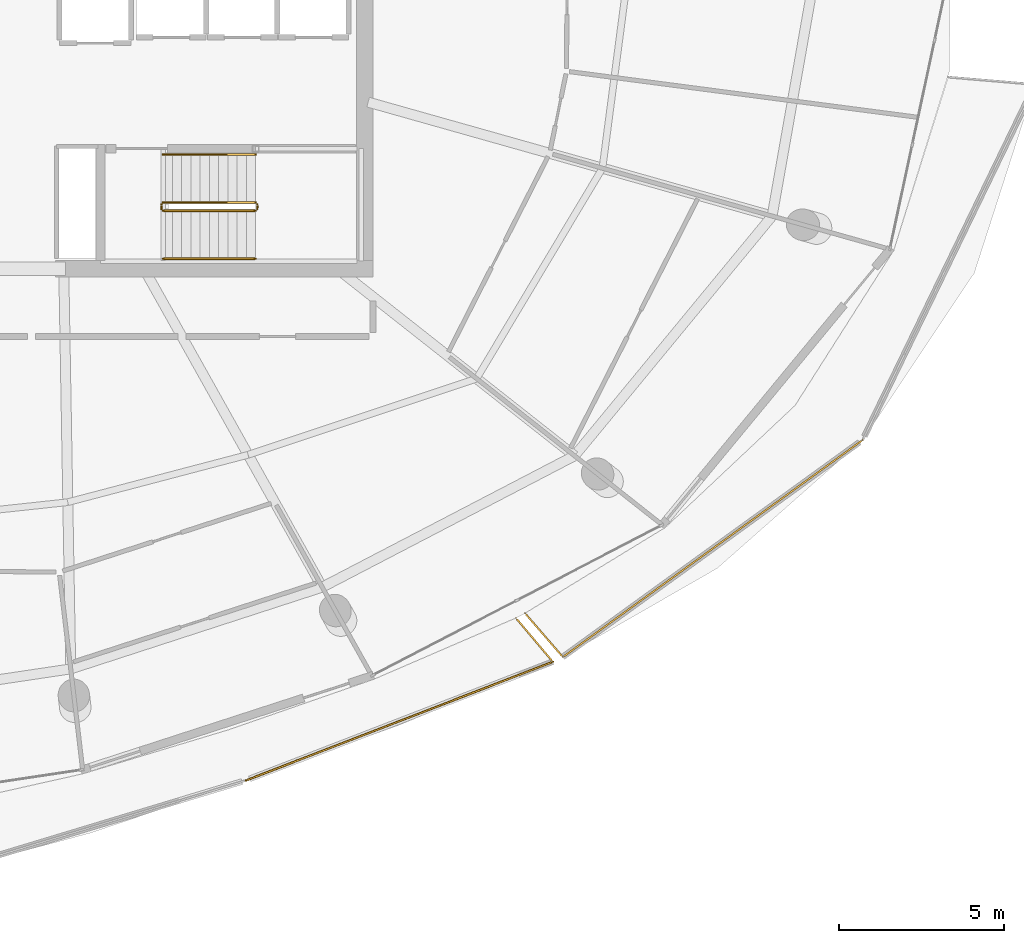
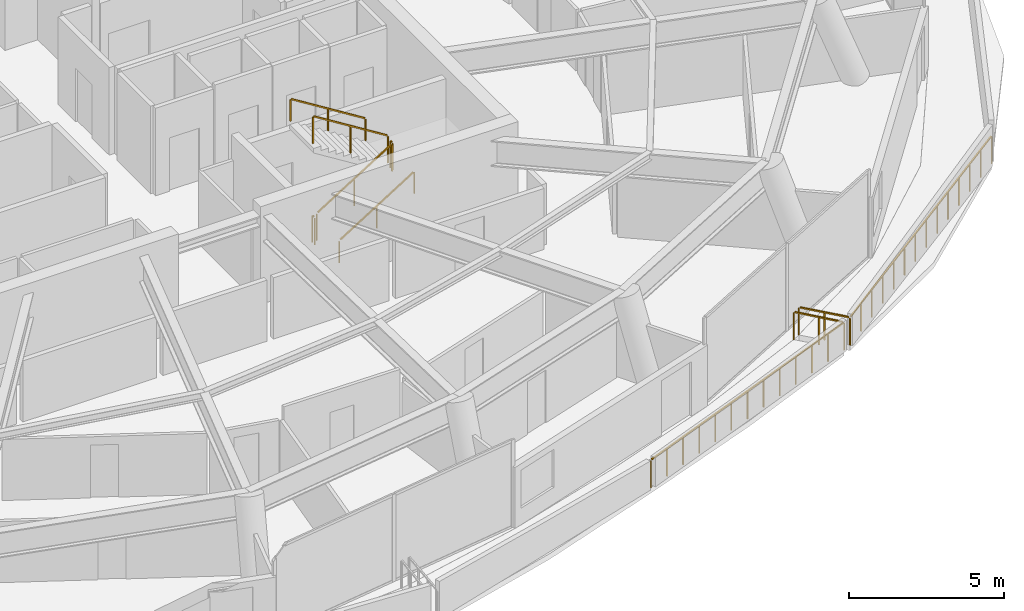
# One storey, part 24 of 27: 10 railings.
"""IFC4 building model written with IfcOpenShell, lengths in metres."""

import ifcopenshell
import ifcopenshell.guid

model = None  # the IFC model being written
_history = None  # IfcOwnerHistory: only IFC2X3 demands one
_inside = {}  # id of a spatial element -> (the spatial element, [elements in it])
_under = {}  # id of a project, library or spatial element -> (it, [spatial elements below it])
_declared = {}  # id of a project -> (the project, [libraries it declares])
_typed = {}  # id of a type object -> (the type object, [elements of that type])
_made_of = {}  # id of a material, layer set ... -> (it, [elements and type objects made of it])


def new_model(schema):
    """Start an empty IFC model of exactly this schema.

    Asked for "IFC4X3", IfcOpenShell would pick the latest addendum, in which some entities
    have other attributes; the version numbers below select the first issue.
    IFC2X3 requires an IfcOwnerHistory on every rooted entity: one is made here for all.
    """
    global model, _history
    if schema == "IFC4X3":
        model = ifcopenshell.file(schema_version=(4, 3, 0, 0))
    else:
        model = ifcopenshell.file(schema=schema)
    _inside.clear()
    _under.clear()
    _declared.clear()
    _typed.clear()
    _made_of.clear()
    _history = None
    if model.schema == "IFC2X3":
        org = make("IfcOrganization", Name="unknown")
        user = make(
            "IfcPersonAndOrganization",
            ThePerson=make("IfcPerson", FamilyName="unknown"),
            TheOrganization=org,
        )
        app = make(
            "IfcApplication",
            ApplicationDeveloper=org,
            Version="unknown",
            ApplicationFullName="unknown",
            ApplicationIdentifier="unknown",
        )
        _history = make(
            "IfcOwnerHistory",
            OwningUser=user,
            OwningApplication=app,
            ChangeAction="ADDED",
            CreationDate=0,
        )
    return model


def make(cls, **values):
    """One entity of the class cls with the attributes given. An attribute that is None is left unset."""
    return model.create_entity(
        cls, **{name: value for name, value in values.items() if value is not None}
    )


def rooted(cls, **values):
    """An entity with a GlobalId (a new one), such as an element, a storey or a relation."""
    return make(cls, GlobalId=ifcopenshell.guid.new(), OwnerHistory=_history, **values)


def si_unit(unit_type, name, prefix=None):
    """IfcSIUnit, for example si_unit("LENGTHUNIT", "METRE", prefix="MILLI")."""
    return make("IfcSIUnit", UnitType=unit_type, Prefix=prefix, Name=name)


def assignment(units):
    """IfcUnitAssignment: the units of a project."""
    return None if units is None else make("IfcUnitAssignment", Units=units)


def point(xyz):
    """IfcCartesianPoint."""
    return None if xyz is None else make("IfcCartesianPoint", Coordinates=xyz)


def direction(xyz):
    """IfcDirection."""
    return None if xyz is None else make("IfcDirection", DirectionRatios=xyz)


def frame(location, z_axis=None, x_axis=None):
    """IfcAxis2Placement3D, a coordinate frame: its origin and axes. An axis left out is left unset."""
    return make(
        "IfcAxis2Placement3D",
        Location=point(location),
        Axis=direction(z_axis),
        RefDirection=direction(x_axis),
    )


def frame_2d(location, x_axis=None):
    """IfcAxis2Placement2D, a coordinate frame in the plane: its origin and x axis."""
    return make(
        "IfcAxis2Placement2D", Location=point(location), RefDirection=direction(x_axis)
    )


def origin():
    """The frame at (0, 0, 0) with its axes left unset."""
    return frame((0.0, 0.0, 0.0))


def origin_2d():
    """The frame at (0, 0) in the plane with its x axis left unset."""
    return frame_2d((0.0, 0.0))


def place(relative_to, where):
    """IfcLocalPlacement: puts the frame where relative to a parent placement (None: the world)."""
    return make(
        "IfcLocalPlacement", PlacementRelTo=relative_to, RelativePlacement=where
    )


def context(
    kind, dimensions, precision=None, world=None, true_north=None, identifier=None
):
    """IfcGeometricRepresentationContext, for example the 3D "Model" context."""
    return make(
        "IfcGeometricRepresentationContext",
        ContextIdentifier=identifier,
        ContextType=kind,
        CoordinateSpaceDimension=dimensions,
        Precision=precision,
        WorldCoordinateSystem=world,
        TrueNorth=true_north,
    )


def subcontext(parent, identifier, kind, view, scale=None):
    """IfcGeometricRepresentationSubContext, for example "Body" below "Model"."""
    return make(
        "IfcGeometricRepresentationSubContext",
        ContextIdentifier=identifier,
        ContextType=kind,
        ParentContext=parent,
        TargetScale=scale,
        TargetView=view,
    )


def project(units=None, contexts=None):
    """IfcProject with its units and contexts."""
    return rooted(
        "IfcProject",
        Name="project",
        RepresentationContexts=contexts,
        UnitsInContext=assignment(units),
    )


def spatial(cls, under=None, at=None, **own):
    """A site, building, storey or space (cls), placed at a placement, below another one or the project."""
    s = rooted(cls, ObjectPlacement=at, **own)
    if under is not None:
        _under.setdefault(under.id(), (under, []))[1].append(s)
    return s


def profile(cls, at=None, kind="AREA", **sizes):
    """A parametric profile (cls). Its sizes go by their IFC names, for example OverallWidth=200.0."""
    return make(cls, ProfileType=kind, Position=at, **sizes)


def rectangle(**sizes):
    """IfcRectangleProfileDef."""
    return profile("IfcRectangleProfileDef", **sizes)


def extrude(swept, where, along, depth):
    """IfcExtrudedAreaSolid: the profile swept, set in the frame where, extruded along a direction by depth."""
    return make(
        "IfcExtrudedAreaSolid",
        SweptArea=swept,
        Position=where,
        ExtrudedDirection=direction(along),
        Depth=depth,
    )


def shape(context_of_items, identifier, shape_type, items):
    """IfcShapeRepresentation: the items that make up one representation, for example the "Body"."""
    return make(
        "IfcShapeRepresentation",
        ContextOfItems=context_of_items,
        RepresentationIdentifier=identifier,
        RepresentationType=shape_type,
        Items=items,
    )


def material(Name=None, Category=None):
    """IfcMaterial."""
    return make("IfcMaterial", Name=Name, Category=Category)


def made_of(thing, what):
    """Note that an element or type object is made of a material, layer set ...; save() writes the relation."""
    if what is not None:
        _made_of.setdefault(what.id(), (what, []))[1].append(thing)
    return thing


def type_object(cls, material=None, **own):
    """A type object (cls), such as IfcWallType, which elements share."""
    return made_of(rooted(cls, **own), material)


def element(
    cls,
    number,
    at=None,
    inside=None,
    cuts=None,
    type_object=None,
    material=None,
    context=None,
    identifier="Body",
    shape_type=None,
    held_by="IfcProductDefinitionShape",
    body=None,
    shapes=None,
    **own,
):
    """One element of the class cls, such as IfcWall. Its Tag is "e" and its number.

    at: its placement. inside: the storey or other place that contains it. cuts: it is an
    opening in that element (IfcRelVoidsElement). A single representation is given by context,
    identifier, shape_type and body (its items); several are given by shapes. held_by: the class
    of the entity that holds the representations. save() writes the other relations.
    """
    e = rooted(cls, Tag="e%d" % number, ObjectPlacement=at, **own)
    if body is not None:
        shapes = [shape(context, identifier, shape_type, body)]
    if shapes is not None:
        e.Representation = make(held_by, Representations=shapes)
    if inside is not None:
        _inside.setdefault(inside.id(), (inside, []))[1].append(e)
    if cuts is not None:
        rooted(
            "IfcRelVoidsElement", RelatingBuildingElement=cuts, RelatedOpeningElement=e
        )
    if type_object is not None:
        _typed.setdefault(type_object.id(), (type_object, []))[1].append(e)
    return made_of(e, material)


def aggregate(whole, parts):
    """IfcRelAggregates: a whole, such as a stair, and the parts it consists of."""
    return rooted("IfcRelAggregates", RelatingObject=whole, RelatedObjects=parts)


def save(model, path):
    """Write the relations noted so far, then the file.

    IfcRelAggregates (storeys below a building ...), IfcRelContainedInSpatialStructure (elements
    in a storey), IfcRelDefinesByType, IfcRelAssociatesMaterial and IfcRelDeclares: one each for
    every whole, place, type object, material and project.
    """
    for whole, parts in _under.values():
        aggregate(whole, parts)
    for where, things in _inside.values():
        rooted(
            "IfcRelContainedInSpatialStructure",
            RelatedElements=things,
            RelatingStructure=where,
        )
    for kind, things in _typed.values():
        rooted("IfcRelDefinesByType", RelatedObjects=things, RelatingType=kind)
    for what, things in _made_of.values():
        rooted("IfcRelAssociatesMaterial", RelatedObjects=things, RelatingMaterial=what)
    for by, libraries in _declared.values():
        rooted("IfcRelDeclares", RelatingContext=by, RelatedDefinitions=libraries)
    model.write(path)


model = new_model("IFC4")

# Units and contexts
model_context = context("Model", 3, precision=1e-05, world=origin(), true_north=direction((0.0, 1.0)))
body_context = subcontext(model_context, "Body", "Model", "MODEL_VIEW")
ifc_project = project(units=[si_unit("LENGTHUNIT", "METRE"), si_unit("AREAUNIT", "SQUARE_METRE"), si_unit("VOLUMEUNIT", "CUBIC_METRE"), si_unit("PLANEANGLEUNIT", "RADIAN"), si_unit("MASSUNIT", "GRAM", prefix="KILO")], contexts=[model_context])

# Site, building, storey
site_placement = place(None, origin())
site = spatial("IfcSite", under=ifc_project, at=site_placement, CompositionType="ELEMENT")
building_placement = place(site_placement, origin())
building = spatial("IfcBuilding", under=site, at=building_placement, Name="Kazma Halo Residences", CompositionType="ELEMENT")
storey_placement = place(building_placement, frame((0.0, 0.0, 306.0)))
storey = spatial("IfcBuildingStorey", under=building, at=storey_placement, Name="L77", CompositionType="ELEMENT", Elevation=306.0)

# Railings
ifc_material_1 = material(Name="Aluminium AW-6063 T6 Brushed Cap Rail", Category="aluminium")
railing_type_1 = type_object("IfcRailingType", Name="RLG-BAL-CAP-1120", PredefinedType="BALUSTRADE", material=ifc_material_1)
railing_1_placement = place(storey_placement, frame((55.70751953125, 18.279052734375, 0.0)))
element("IfcRailing", 1, at=railing_1_placement, inside=storey, type_object=railing_type_1, Name="L77 SSE wave balcony guard 3", PredefinedType="BALUSTRADE", context=body_context, shape_type="SweptSolid", body=[
    extrude(rectangle(XDim=0.050048828125, YDim=0.050048828125, at=origin_2d()), frame((0.039794921875, 0.015380859375, 1.09521484375), z_axis=(0.932699452065, 0.360654588378, 0.0), x_axis=(-0.360654588378, 0.932699452065, 0.0)), (0.0, 0.0, 1.0), 9.861083984375),
    extrude(rectangle(XDim=0.0400390625, YDim=0.0400390625, at=origin_2d()), origin(), (0.0, 0.0, 1.0), 1.05810546875),
    extrude(rectangle(XDim=0.0400390625, YDim=0.0400390625, at=origin_2d()), frame((0.77294921875, 0.298828125, 0.0)), (0.0, 0.0, 1.0), 1.05810546875),
    extrude(rectangle(XDim=0.0400390625, YDim=0.0400390625, at=origin_2d()), frame((1.546142578125, 0.597900390625, 0.0)), (0.0, 0.0, 1.0), 1.05810546875),
    extrude(rectangle(XDim=0.0400390625, YDim=0.0400390625, at=origin_2d()), frame((2.3193359375, 0.896728515625, 0.0)), (0.0, 0.0, 1.0), 1.05810546875),
    extrude(rectangle(XDim=0.0400390625, YDim=0.0400390625, at=origin_2d()), frame((3.09228515625, 1.19580078125, 0.0)), (0.0, 0.0, 1.0), 1.05810546875),
    extrude(rectangle(XDim=0.0400390625, YDim=0.0400390625, at=origin_2d()), frame((3.865234375, 1.49462890625, 0.0)), (0.0, 0.0, 1.0), 1.05810546875),
    extrude(rectangle(XDim=0.0400390625, YDim=0.0400390625, at=origin_2d()), frame((4.638427734375, 1.79345703125, 0.0)), (0.0, 0.0, 1.0), 1.05810546875),
    extrude(rectangle(XDim=0.0400390625, YDim=0.0400390625, at=origin_2d()), frame((5.41162109375, 2.092529296875, 0.0)), (0.0, 0.0, 1.0), 1.05810546875),
    extrude(rectangle(XDim=0.0400390625, YDim=0.0400390625, at=origin_2d()), frame((6.1845703125, 2.391357421875, 0.0)), (0.0, 0.0, 1.0), 1.05810546875),
    extrude(rectangle(XDim=0.0400390625, YDim=0.0400390625, at=origin_2d()), frame((6.95751953125, 2.6904296875, 0.0)), (0.0, 0.0, 1.0), 1.05810546875),
    extrude(rectangle(XDim=0.0400390625, YDim=0.0400390625, at=origin_2d()), frame((7.730712890625, 2.9892578125, 0.0)), (0.0, 0.0, 1.0), 1.05810546875),
    extrude(rectangle(XDim=0.0400390625, YDim=0.0400390625, at=origin_2d()), frame((8.50390625, 3.288330078125, 0.0)), (0.0, 0.0, 1.0), 1.05810546875),
    extrude(rectangle(XDim=0.0400390625, YDim=0.0400390625, at=origin_2d()), frame((9.27685546875, 3.587158203125, 0.0)), (0.0, 0.0, 1.0), 1.05810546875),
])
railing_2_placement = place(storey_placement, frame((64.984375, 21.8662109375, 0.0)))
element("IfcRailing", 2, at=railing_2_placement, inside=storey, type_object=railing_type_1, Name="L77 SSE wave balcony guard 4", PredefinedType="BALUSTRADE", context=body_context, shape_type="SweptSolid", body=[
    extrude(rectangle(XDim=0.050048828125, YDim=0.050048828125, at=origin_2d()), frame((-0.02734375, 0.032470703125, 1.09521484375), z_axis=(-0.644834886157, 0.764321901816, 0.0), x_axis=(-0.764321901816, -0.644834886157, 0.0)), (0.0, 0.0, 1.0), 1.6455078125),
    extrude(rectangle(XDim=0.0400390625, YDim=0.0400390625, at=origin_2d()), origin(), (0.0, 0.0, 1.0), 1.05810546875),
    extrude(rectangle(XDim=0.0400390625, YDim=0.0400390625, at=origin_2d()), frame((-0.55810546875, 0.661376953125, 0.0)), (0.0, 0.0, 1.0), 1.05810546875),
    extrude(rectangle(XDim=0.0400390625, YDim=0.0400390625, at=origin_2d()), frame((-1.115966796875, 1.32275390625, 0.0)), (0.0, 0.0, 1.0), 1.05810546875),
])
railing_3_placement = place(storey_placement, frame((64.142578125, 23.33154296875, 0.0)))
element("IfcRailing", 3, at=railing_3_placement, inside=storey, type_object=railing_type_1, Name="L77 SE wave balcony guard 1", PredefinedType="BALUSTRADE", context=body_context, shape_type="SweptSolid", body=[
    extrude(rectangle(XDim=0.050048828125, YDim=0.050048828125, at=origin_2d()), frame((0.02783203125, -0.0322265625, 1.09521484375), z_axis=(0.654085012006, -0.756421044835, 0.0), x_axis=(0.756421044835, 0.654085012006, 0.0)), (0.0, 0.0, 1.0), 1.66357421875),
    extrude(rectangle(XDim=0.0400390625, YDim=0.0400390625, at=origin_2d()), origin(), (0.0, 0.0, 1.0), 1.05810546875),
    extrude(rectangle(XDim=0.0400390625, YDim=0.0400390625, at=origin_2d()), frame((0.57177734375, -0.661376953125, 0.0)), (0.0, 0.0, 1.0), 1.05810546875),
    extrude(rectangle(XDim=0.0400390625, YDim=0.0400390625, at=origin_2d()), frame((1.143798828125, -1.32275390625, 0.0)), (0.0, 0.0, 1.0), 1.05810546875),
])
railing_4_placement = place(storey_placement, frame((65.286376953125, 22.0087890625, 0.0)))
element("IfcRailing", 4, at=railing_4_placement, inside=storey, type_object=railing_type_1, Name="L77 SE wave balcony guard 2", PredefinedType="BALUSTRADE", context=body_context, shape_type="SweptSolid", body=[
    extrude(rectangle(XDim=0.050048828125, YDim=0.050048828125, at=origin_2d()), frame((0.034423828125, 0.02490234375, 1.09521484375), z_axis=(0.810035720359, 0.586380534928, 0.0), x_axis=(-0.586380534928, 0.810035720359, 0.0)), (0.0, 0.0, 1.0), 11.108154296875),
    extrude(rectangle(XDim=0.0400390625, YDim=0.0400390625, at=origin_2d()), origin(), (0.0, 0.0, 1.0), 1.05810546875),
    extrude(rectangle(XDim=0.0400390625, YDim=0.0400390625, at=origin_2d()), frame((0.697509765625, 0.5048828125, 0.0)), (0.0, 0.0, 1.0), 1.05810546875),
    extrude(rectangle(XDim=0.0400390625, YDim=0.0400390625, at=origin_2d()), frame((1.39501953125, 1.009765625, 0.0)), (0.0, 0.0, 1.0), 1.05810546875),
    extrude(rectangle(XDim=0.0400390625, YDim=0.0400390625, at=origin_2d()), frame((2.09228515625, 1.5146484375, 0.0)), (0.0, 0.0, 1.0), 1.05810546875),
    extrude(rectangle(XDim=0.0400390625, YDim=0.0400390625, at=origin_2d()), frame((2.789794921875, 2.01953125, 0.0)), (0.0, 0.0, 1.0), 1.05810546875),
    extrude(rectangle(XDim=0.0400390625, YDim=0.0400390625, at=origin_2d()), frame((3.4873046875, 2.5244140625, 0.0)), (0.0, 0.0, 1.0), 1.05810546875),
    extrude(rectangle(XDim=0.0400390625, YDim=0.0400390625, at=origin_2d()), frame((4.184814453125, 3.029296875, 0.0)), (0.0, 0.0, 1.0), 1.05810546875),
    extrude(rectangle(XDim=0.0400390625, YDim=0.0400390625, at=origin_2d()), frame((4.882080078125, 3.5341796875, 0.0)), (0.0, 0.0, 1.0), 1.05810546875),
    extrude(rectangle(XDim=0.0400390625, YDim=0.0400390625, at=origin_2d()), frame((5.57958984375, 4.0390625, 0.0)), (0.0, 0.0, 1.0), 1.05810546875),
    extrude(rectangle(XDim=0.0400390625, YDim=0.0400390625, at=origin_2d()), frame((6.277099609375, 4.5439453125, 0.0)), (0.0, 0.0, 1.0), 1.05810546875),
    extrude(rectangle(XDim=0.0400390625, YDim=0.0400390625, at=origin_2d()), frame((6.974609375, 5.048828125, 0.0)), (0.0, 0.0, 1.0), 1.05810546875),
    extrude(rectangle(XDim=0.0400390625, YDim=0.0400390625, at=origin_2d()), frame((7.671875, 5.5537109375, 0.0)), (0.0, 0.0, 1.0), 1.05810546875),
    extrude(rectangle(XDim=0.0400390625, YDim=0.0400390625, at=origin_2d()), frame((8.369384765625, 6.05859375, 0.0)), (0.0, 0.0, 1.0), 1.05810546875),
    extrude(rectangle(XDim=0.0400390625, YDim=0.0400390625, at=origin_2d()), frame((9.06689453125, 6.5634765625, 0.0)), (0.0, 0.0, 1.0), 1.05810546875),
])
ifc_material_2 = material(Name="Painted Steel S355", Category="steel")
railing_type_2 = type_object("IfcRailingType", Name="RLG-STAIR-GRD-1100", PredefinedType="GUARDRAIL", material=ifc_material_2)
railing_5_placement = place(storey_placement, frame((53.199951171875, 35.5, 0.175048828125)))
element("IfcRailing", 5, at=railing_5_placement, inside=storey, type_object=railing_type_2, Name="L77 ST-03 stair guard 1", PredefinedType="GUARDRAIL", context=body_context, shape_type="SweptSolid", body=[
    extrude(rectangle(XDim=0.050048828125, YDim=0.050048828125, at=origin_2d()), frame((0.0361328125, 0.0, 1.09765625), z_axis=(0.848002457836, 0.0, 0.529992293815), x_axis=(0.0, 1.0, 0.0)), (0.0, 0.0, 1.0), 3.216796875),
    extrude(rectangle(XDim=0.0400390625, YDim=0.0400390625, at=origin_2d()), origin(), (0.0, 0.0, 1.0), 1.0380859375),
    extrude(rectangle(XDim=0.0400390625, YDim=0.0400390625, at=origin_2d()), frame((1.39990234375, 0.0, 0.875)), (0.0, 0.0, 1.0), 1.0380859375),
    extrude(rectangle(XDim=0.0400390625, YDim=0.0400390625, at=origin_2d()), frame((2.800048828125, 0.0, 1.75)), (0.0, 0.0, 1.0), 1.0380859375),
])
railing_6_placement = place(storey_placement, frame((56.050048828125, 35.550048828125, 1.925048828125)))
element("IfcRailing", 6, at=railing_6_placement, inside=storey, type_object=railing_type_2, Name="L77 ST-03 stair guard 2", PredefinedType="GUARDRAIL", context=body_context, shape_type="SweptSolid", body=[
    extrude(rectangle(XDim=0.050048828125, YDim=0.050048828125, at=origin_2d()), frame((0.0, 0.04248046875, 1.0751953125), z_axis=(0.0, 1.0, 0.0), x_axis=(-1.0, 0.0, 0.0)), (0.0, 0.0, 1.0), 0.06494140625),
    extrude(rectangle(XDim=0.0400390625, YDim=0.0400390625, at=origin_2d()), origin(), (0.0, 0.0, 1.0), 1.0380859375),
    extrude(rectangle(XDim=0.0400390625, YDim=0.0400390625, at=origin_2d()), frame((0.0, 0.14990234375, 0.0)), (0.0, 0.0, 1.0), 1.0380859375),
])
railing_7_placement = place(storey_placement, frame((56.0, 35.75, 2.10009765625)))
element("IfcRailing", 7, at=railing_7_placement, inside=storey, type_object=railing_type_2, Name="L77 ST-03 stair guard 3", PredefinedType="GUARDRAIL", context=body_context, shape_type="SweptSolid", body=[
    extrude(rectangle(XDim=0.050048828125, YDim=0.050048828125, at=origin_2d()), frame((-0.0361328125, 0.0, 1.09765625), z_axis=(-0.848002457836, 0.0, 0.529992293815), x_axis=(0.0, -1.0, 0.0)), (0.0, 0.0, 1.0), 3.216796875),
    extrude(rectangle(XDim=0.0400390625, YDim=0.0400390625, at=origin_2d()), origin(), (0.0, 0.0, 1.0), 1.0380859375),
    extrude(rectangle(XDim=0.0400390625, YDim=0.0400390625, at=origin_2d()), frame((-1.39990234375, 0.0, 0.875)), (0.0, 0.0, 1.0), 1.0380859375),
    extrude(rectangle(XDim=0.0400390625, YDim=0.0400390625, at=origin_2d()), frame((-2.800048828125, 0.0, 1.75)), (0.0, 0.0, 1.0), 1.0380859375),
])
railing_8_placement = place(storey_placement, frame((53.14990234375, 35.550048828125, 0.0)))
element("IfcRailing", 8, at=railing_8_placement, inside=storey, type_object=railing_type_2, Name="L77 ST-03 stair guard 4", PredefinedType="GUARDRAIL", context=body_context, shape_type="SweptSolid", body=[
    extrude(rectangle(XDim=0.050048828125, YDim=0.050048828125, at=origin_2d()), frame((0.0, 0.04248046875, 1.0751953125), z_axis=(0.0, 1.0, 0.0), x_axis=(-1.0, 0.0, 0.0)), (0.0, 0.0, 1.0), 0.06494140625),
    extrude(rectangle(XDim=0.0400390625, YDim=0.0400390625, at=origin_2d()), origin(), (0.0, 0.0, 1.0), 1.0380859375),
    extrude(rectangle(XDim=0.0400390625, YDim=0.0400390625, at=origin_2d()), frame((0.0, 0.14990234375, 0.0)), (0.0, 0.0, 1.0), 1.0380859375),
])
ifc_material_3 = material(Name="Brushed Stainless Steel", Category="steel")
railing_type_3 = type_object("IfcRailingType", Name="RLG-STAIR-HND-900", PredefinedType="HANDRAIL", material=ifc_material_3)
railing_9_placement = place(storey_placement, frame((53.199951171875, 34.050048828125, 0.175048828125)))
element("IfcRailing", 9, at=railing_9_placement, inside=storey, type_object=railing_type_3, Name="L77 ST-03 stair handrail 1", PredefinedType="HANDRAIL", context=body_context, shape_type="SweptSolid", body=[
    extrude(rectangle(XDim=0.050048828125, YDim=0.050048828125, at=origin_2d()), frame((0.0361328125, 0.0, 0.8974609375), z_axis=(0.848002457836, 0.0, 0.529992293815), x_axis=(0.0, 1.0, 0.0)), (0.0, 0.0, 1.0), 3.216796875),
    extrude(rectangle(XDim=0.0400390625, YDim=0.0400390625, at=origin_2d()), origin(), (0.0, 0.0, 1.0), 0.837890625),
    extrude(rectangle(XDim=0.0400390625, YDim=0.0400390625, at=origin_2d()), frame((1.39990234375, 0.0, 0.875)), (0.0, 0.0, 1.0), 0.837890625),
    extrude(rectangle(XDim=0.0400390625, YDim=0.0400390625, at=origin_2d()), frame((2.800048828125, 0.0, 1.75)), (0.0, 0.0, 1.0), 0.837890625),
])
railing_10_placement = place(storey_placement, frame((56.0, 37.199951171875, 2.10009765625)))
element("IfcRailing", 10, at=railing_10_placement, inside=storey, type_object=railing_type_3, Name="L77 ST-03 stair handrail 2", PredefinedType="HANDRAIL", context=body_context, shape_type="SweptSolid", body=[
    extrude(rectangle(XDim=0.050048828125, YDim=0.050048828125, at=origin_2d()), frame((-0.0361328125, 0.0, 0.8974609375), z_axis=(-0.848002457836, 0.0, 0.529992293815), x_axis=(0.0, -1.0, 0.0)), (0.0, 0.0, 1.0), 3.216796875),
    extrude(rectangle(XDim=0.0400390625, YDim=0.0400390625, at=origin_2d()), origin(), (0.0, 0.0, 1.0), 0.837890625),
    extrude(rectangle(XDim=0.0400390625, YDim=0.0400390625, at=origin_2d()), frame((-1.39990234375, 0.0, 0.875)), (0.0, 0.0, 1.0), 0.837890625),
    extrude(rectangle(XDim=0.0400390625, YDim=0.0400390625, at=origin_2d()), frame((-2.800048828125, 0.0, 1.75)), (0.0, 0.0, 1.0), 0.837890625),
])

save(model, "model.ifc")
